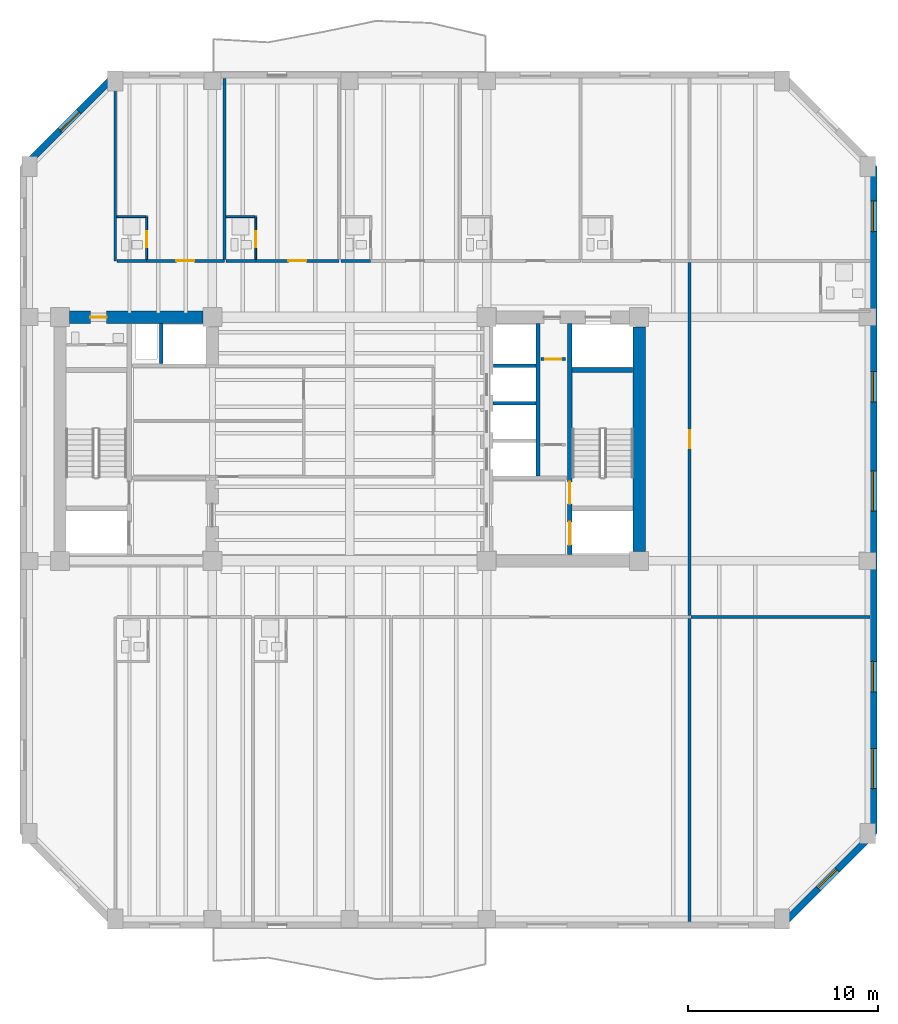
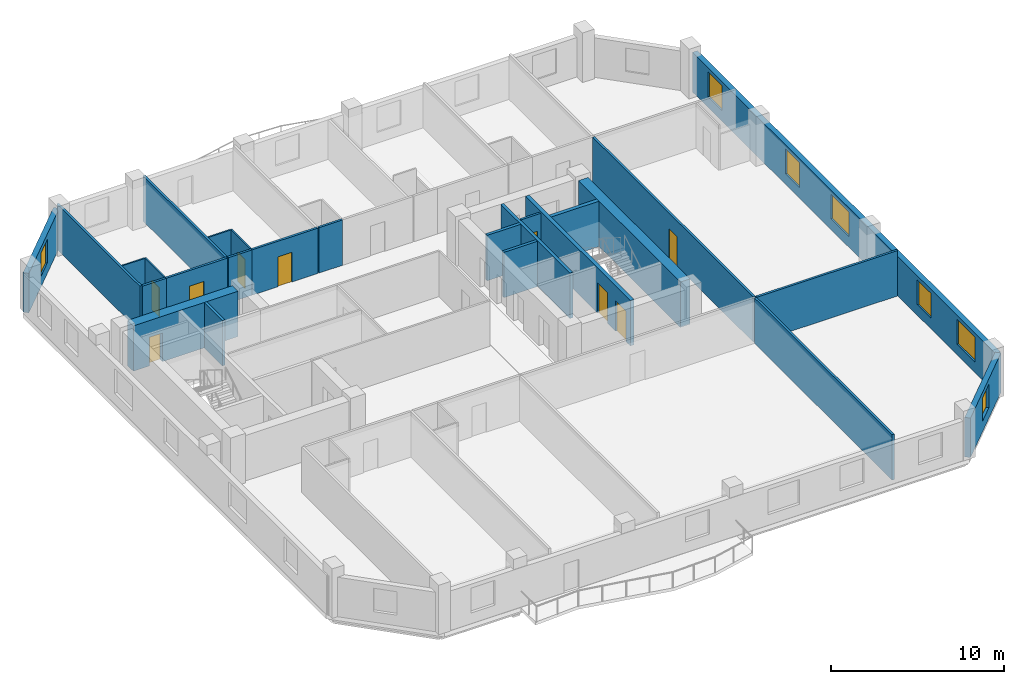
# One storey, part 4 of 10: 26 walls, 9 doors, 7 windows, 16 openings.
"""IFC4 building model written with IfcOpenShell, lengths in metres."""

import ifcopenshell
import ifcopenshell.guid

model = None  # the IFC model being written
_history = None  # IfcOwnerHistory: only IFC2X3 demands one
_inside = {}  # id of a spatial element -> (the spatial element, [elements in it])
_under = {}  # id of a project, library or spatial element -> (it, [spatial elements below it])
_declared = {}  # id of a project -> (the project, [libraries it declares])
_typed = {}  # id of a type object -> (the type object, [elements of that type])
_made_of = {}  # id of a material, layer set ... -> (it, [elements and type objects made of it])


def new_model(schema):
    """Start an empty IFC model of exactly this schema.

    Asked for "IFC4X3", IfcOpenShell would pick the latest addendum, in which some entities
    have other attributes; the version numbers below select the first issue.
    IFC2X3 requires an IfcOwnerHistory on every rooted entity: one is made here for all.
    """
    global model, _history
    if schema == "IFC4X3":
        model = ifcopenshell.file(schema_version=(4, 3, 0, 0))
    else:
        model = ifcopenshell.file(schema=schema)
    _inside.clear()
    _under.clear()
    _declared.clear()
    _typed.clear()
    _made_of.clear()
    _history = None
    if model.schema == "IFC2X3":
        org = make("IfcOrganization", Name="unknown")
        user = make(
            "IfcPersonAndOrganization",
            ThePerson=make("IfcPerson", FamilyName="unknown"),
            TheOrganization=org,
        )
        app = make(
            "IfcApplication",
            ApplicationDeveloper=org,
            Version="unknown",
            ApplicationFullName="unknown",
            ApplicationIdentifier="unknown",
        )
        _history = make(
            "IfcOwnerHistory",
            OwningUser=user,
            OwningApplication=app,
            ChangeAction="ADDED",
            CreationDate=0,
        )
    return model


def make(cls, **values):
    """One entity of the class cls with the attributes given. An attribute that is None is left unset."""
    return model.create_entity(
        cls, **{name: value for name, value in values.items() if value is not None}
    )


def rooted(cls, **values):
    """An entity with a GlobalId (a new one), such as an element, a storey or a relation."""
    return make(cls, GlobalId=ifcopenshell.guid.new(), OwnerHistory=_history, **values)


def si_unit(unit_type, name, prefix=None):
    """IfcSIUnit, for example si_unit("LENGTHUNIT", "METRE", prefix="MILLI")."""
    return make("IfcSIUnit", UnitType=unit_type, Prefix=prefix, Name=name)


def assignment(units):
    """IfcUnitAssignment: the units of a project."""
    return None if units is None else make("IfcUnitAssignment", Units=units)


def point(xyz):
    """IfcCartesianPoint."""
    return None if xyz is None else make("IfcCartesianPoint", Coordinates=xyz)


def direction(xyz):
    """IfcDirection."""
    return None if xyz is None else make("IfcDirection", DirectionRatios=xyz)


def frame(location, z_axis=None, x_axis=None):
    """IfcAxis2Placement3D, a coordinate frame: its origin and axes. An axis left out is left unset."""
    return make(
        "IfcAxis2Placement3D",
        Location=point(location),
        Axis=direction(z_axis),
        RefDirection=direction(x_axis),
    )


def frame_2d(location, x_axis=None):
    """IfcAxis2Placement2D, a coordinate frame in the plane: its origin and x axis."""
    return make(
        "IfcAxis2Placement2D", Location=point(location), RefDirection=direction(x_axis)
    )


def origin():
    """The frame at (0, 0, 0) with its axes left unset."""
    return frame((0.0, 0.0, 0.0))


def place(relative_to, where):
    """IfcLocalPlacement: puts the frame where relative to a parent placement (None: the world)."""
    return make(
        "IfcLocalPlacement", PlacementRelTo=relative_to, RelativePlacement=where
    )


def context(
    kind, dimensions, precision=None, world=None, true_north=None, identifier=None
):
    """IfcGeometricRepresentationContext, for example the 3D "Model" context."""
    return make(
        "IfcGeometricRepresentationContext",
        ContextIdentifier=identifier,
        ContextType=kind,
        CoordinateSpaceDimension=dimensions,
        Precision=precision,
        WorldCoordinateSystem=world,
        TrueNorth=true_north,
    )


def subcontext(parent, identifier, kind, view, scale=None):
    """IfcGeometricRepresentationSubContext, for example "Body" below "Model"."""
    return make(
        "IfcGeometricRepresentationSubContext",
        ContextIdentifier=identifier,
        ContextType=kind,
        ParentContext=parent,
        TargetScale=scale,
        TargetView=view,
    )


def project(units=None, contexts=None):
    """IfcProject with its units and contexts."""
    return rooted(
        "IfcProject",
        Name="project",
        RepresentationContexts=contexts,
        UnitsInContext=assignment(units),
    )


def spatial(cls, under=None, at=None, **own):
    """A site, building, storey or space (cls), placed at a placement, below another one or the project."""
    s = rooted(cls, ObjectPlacement=at, **own)
    if under is not None:
        _under.setdefault(under.id(), (under, []))[1].append(s)
    return s


def profile(cls, at=None, kind="AREA", **sizes):
    """A parametric profile (cls). Its sizes go by their IFC names, for example OverallWidth=200.0."""
    return make(cls, ProfileType=kind, Position=at, **sizes)


def rectangle(**sizes):
    """IfcRectangleProfileDef."""
    return profile("IfcRectangleProfileDef", **sizes)


def extrude(swept, where, along, depth):
    """IfcExtrudedAreaSolid: the profile swept, set in the frame where, extruded along a direction by depth."""
    return make(
        "IfcExtrudedAreaSolid",
        SweptArea=swept,
        Position=where,
        ExtrudedDirection=direction(along),
        Depth=depth,
    )


def shape(context_of_items, identifier, shape_type, items):
    """IfcShapeRepresentation: the items that make up one representation, for example the "Body"."""
    return make(
        "IfcShapeRepresentation",
        ContextOfItems=context_of_items,
        RepresentationIdentifier=identifier,
        RepresentationType=shape_type,
        Items=items,
    )


def material(Name=None, Category=None):
    """IfcMaterial."""
    return make("IfcMaterial", Name=Name, Category=Category)


def layer(
    of_material, thickness, ventilated=None, Name=None, Category=None, Priority=None
):
    """IfcMaterialLayer: one layer of a wall or slab, of a material (None: an air gap)."""
    return make(
        "IfcMaterialLayer",
        Material=of_material,
        LayerThickness=thickness,
        IsVentilated=ventilated,
        Name=Name,
        Category=Category,
        Priority=Priority,
    )


def layer_set(layers, Name=None):
    """IfcMaterialLayerSet."""
    return make("IfcMaterialLayerSet", MaterialLayers=layers, LayerSetName=Name)


def made_of(thing, what):
    """Note that an element or type object is made of a material, layer set ...; save() writes the relation."""
    if what is not None:
        _made_of.setdefault(what.id(), (what, []))[1].append(thing)
    return thing


def type_object(cls, material=None, **own):
    """A type object (cls), such as IfcWallType, which elements share."""
    return made_of(rooted(cls, **own), material)


def element(
    cls,
    number,
    at=None,
    inside=None,
    cuts=None,
    type_object=None,
    material=None,
    context=None,
    identifier="Body",
    shape_type=None,
    held_by="IfcProductDefinitionShape",
    body=None,
    shapes=None,
    **own,
):
    """One element of the class cls, such as IfcWall. Its Tag is "e" and its number.

    at: its placement. inside: the storey or other place that contains it. cuts: it is an
    opening in that element (IfcRelVoidsElement). A single representation is given by context,
    identifier, shape_type and body (its items); several are given by shapes. held_by: the class
    of the entity that holds the representations. save() writes the other relations.
    """
    e = rooted(cls, Tag="e%d" % number, ObjectPlacement=at, **own)
    if body is not None:
        shapes = [shape(context, identifier, shape_type, body)]
    if shapes is not None:
        e.Representation = make(held_by, Representations=shapes)
    if inside is not None:
        _inside.setdefault(inside.id(), (inside, []))[1].append(e)
    if cuts is not None:
        rooted(
            "IfcRelVoidsElement", RelatingBuildingElement=cuts, RelatedOpeningElement=e
        )
    if type_object is not None:
        _typed.setdefault(type_object.id(), (type_object, []))[1].append(e)
    return made_of(e, material)


def fill(opening, filler):
    """IfcRelFillsElement: the door or window that sits in an opening."""
    return rooted(
        "IfcRelFillsElement",
        RelatingOpeningElement=opening,
        RelatedBuildingElement=filler,
    )


def aggregate(whole, parts):
    """IfcRelAggregates: a whole, such as a stair, and the parts it consists of."""
    return rooted("IfcRelAggregates", RelatingObject=whole, RelatedObjects=parts)


def save(model, path):
    """Write the relations noted so far, then the file.

    IfcRelAggregates (storeys below a building ...), IfcRelContainedInSpatialStructure (elements
    in a storey), IfcRelDefinesByType, IfcRelAssociatesMaterial and IfcRelDeclares: one each for
    every whole, place, type object, material and project.
    """
    for whole, parts in _under.values():
        aggregate(whole, parts)
    for where, things in _inside.values():
        rooted(
            "IfcRelContainedInSpatialStructure",
            RelatedElements=things,
            RelatingStructure=where,
        )
    for kind, things in _typed.values():
        rooted("IfcRelDefinesByType", RelatedObjects=things, RelatingType=kind)
    for what, things in _made_of.values():
        rooted("IfcRelAssociatesMaterial", RelatedObjects=things, RelatingMaterial=what)
    for by, libraries in _declared.values():
        rooted("IfcRelDeclares", RelatingContext=by, RelatedDefinitions=libraries)
    model.write(path)


model = new_model("IFC4")

# Units and contexts
model_context = context("Model", 3, precision=1e-05, world=origin(), true_north=direction((0.0, 1.0)))
body_context = subcontext(model_context, "Body", "Model", "MODEL_VIEW")
ifc_project = project(units=[si_unit("LENGTHUNIT", "METRE"), si_unit("AREAUNIT", "SQUARE_METRE"), si_unit("VOLUMEUNIT", "CUBIC_METRE"), si_unit("PLANEANGLEUNIT", "RADIAN"), si_unit("MASSUNIT", "GRAM", prefix="KILO")], contexts=[model_context])

# Site, building, storey
site_placement = place(None, origin())
site = spatial("IfcSite", under=ifc_project, at=site_placement, CompositionType="ELEMENT")
building_placement = place(site_placement, origin())
building = spatial("IfcBuilding", under=site, at=building_placement, Name="Kranthara Brick Stack", CompositionType="ELEMENT")
storey_placement = place(building_placement, frame((0.0, 0.0, 144.800048828125)))
storey = spatial("IfcBuildingStorey", under=building, at=storey_placement, Name="L36", CompositionType="ELEMENT", Elevation=144.800048828125)

# Wall, opening, window
ifc_material_1 = material(Name="Kiln-fired clay brick masonry M15", Category="masonry")
ifc_layer_1 = layer(ifc_material_1, 0.35009765625)
ifc_layer_set_1 = layer_set([ifc_layer_1], Name="Kiln-fired clay brick masonry M15")
wall_type_1 = type_object("IfcWallType", Name="WL-BRK-SPND-350", PredefinedType="STANDARD", material=ifc_layer_set_1)
wall_1_placement = place(storey_placement, frame((10.89501953125, 41.5, 0.0), z_axis=(0.0, 0.0, 1.0), x_axis=(0.707106781187, 0.707106781187, 0.0)))
wall_1 = element("IfcWall", 1, at=wall_1_placement, inside=storey, type_object=wall_type_1, Name="L36 Exterior Brick Facade Wall NW 1", PredefinedType="STANDARD", context=body_context, shape_type="SweptSolid", body=[
    extrude(rectangle(XDim=6.795166015625, YDim=0.35009765625, at=frame_2d((3.3974609375, 0.0))), origin(), (0.0, 0.0, 1.0), 2.784912109375),
])
opening_1_placement = place(wall_1_placement, frame((2.697998046875, 0.0, 0.75)))
opening_1 = element("IfcOpeningElement", 2, at=opening_1_placement, cuts=wall_1, Name="Opening WN10", PredefinedType="OPENING", context=body_context, shape_type="SweptSolid", body=[
    extrude(rectangle(XDim=1.39990234375, YDim=1.64990234375, at=frame_2d((0.699951171875, 0.824951171875))), frame((0.0, 0.18505859375, 0.0), z_axis=(0.0, -1.0, 0.0), x_axis=(1.0, 0.0, 0.0)), (0.0, 0.0, 1.0), 0.3701171875),
])
ifc_material_2 = material(Name="Double-glazed low-E solar control glass", Category="glass")
window_type_1 = type_object("IfcWindowType", Name="WN-CHM-1400x1750", PartitioningType="SINGLE_PANEL", PredefinedType="WINDOW", material=ifc_material_2)
window_1_placement = place(opening_1_placement, origin())
window_1 = element("IfcWindow", 3, at=window_1_placement, inside=storey, type_object=window_type_1, Name="L36 NW Chamfer Corner Window", OverallHeight=1.64990234375, OverallWidth=1.39990234375, PartitioningType="SINGLE_PANEL", PredefinedType="WINDOW", context=body_context, shape_type="SweptSolid", body=[
    extrude(rectangle(XDim=1.39990234375, YDim=1.64990234375, at=frame_2d((0.699951171875, 0.824951171875))), frame((0.0, -0.010009765625, 0.0), z_axis=(0.0, -1.0, 0.0), x_axis=(1.0, 0.0, 0.0)), (0.0, 0.0, 1.0), 0.06005859375),
])
fill(opening_1, window_1)

# Wall, openings, windows
wall_2_placement = place(storey_placement, frame((55.5048828125, 41.5, 0.0), z_axis=(0.0, 0.0, 1.0), x_axis=(0.0, -1.0, 0.0)))
wall_2 = element("IfcWall", 4, at=wall_2_placement, inside=storey, type_object=wall_type_1, Name="L36 Exterior Brick Facade Wall EAST 1", PredefinedType="STANDARD", context=body_context, shape_type="SweptSolid", body=[
    extrude(rectangle(XDim=35.0, YDim=0.35009765625, at=frame_2d((17.5, 0.0))), origin(), (0.0, 0.0, 1.0), 2.784912109375),
])
opening_2_placement = place(wall_2_placement, frame((1.81298828125, 0.0, 0.75)))
opening_2 = element("IfcOpeningElement", 5, at=opening_2_placement, cuts=wall_2, Name="Opening WN04", PredefinedType="OPENING", context=body_context, shape_type="SweptSolid", body=[
    extrude(rectangle(XDim=1.60009765625, YDim=1.75, at=frame_2d((0.800048828125, 0.875))), frame((0.0, 0.18505859375, 0.0), z_axis=(0.0, -1.0, 0.0), x_axis=(1.0, 0.0, 0.0)), (0.0, 0.0, 1.0), 0.3701171875),
])
opening_3_placement = place(wall_2_placement, frame((10.763916015625, 0.0, 0.75)))
opening_3 = element("IfcOpeningElement", 6, at=opening_3_placement, cuts=wall_2, Name="Opening WN04", PredefinedType="OPENING", context=body_context, shape_type="SweptSolid", body=[
    extrude(rectangle(XDim=1.60009765625, YDim=1.75, at=frame_2d((0.800048828125, 0.875))), frame((0.0, 0.18505859375, 0.0), z_axis=(0.0, -1.0, 0.0), x_axis=(1.0, 0.0, 0.0)), (0.0, 0.0, 1.0), 0.3701171875),
])
opening_4_placement = place(wall_2_placement, frame((15.986083984375, 0.0, 0.75)))
opening_4 = element("IfcOpeningElement", 7, at=opening_4_placement, cuts=wall_2, Name="Opening WN05", PredefinedType="OPENING", context=body_context, shape_type="SweptSolid", body=[
    extrude(rectangle(XDim=2.10009765625, YDim=1.75, at=frame_2d((1.050048828125, 0.875))), frame((0.0, 0.18505859375, 0.0), z_axis=(0.0, -1.0, 0.0), x_axis=(1.0, 0.0, 0.0)), (0.0, 0.0, 1.0), 0.3701171875),
])
opening_5_placement = place(wall_2_placement, frame((25.969970703125, 0.0, 0.75)))
opening_5 = element("IfcOpeningElement", 8, at=opening_5_placement, cuts=wall_2, Name="Opening WN04", PredefinedType="OPENING", context=body_context, shape_type="SweptSolid", body=[
    extrude(rectangle(XDim=1.60009765625, YDim=1.75, at=frame_2d((0.800048828125, 0.875))), frame((0.0, 0.18505859375, 0.0), z_axis=(0.0, -1.0, 0.0), x_axis=(1.0, 0.0, 0.0)), (0.0, 0.0, 1.0), 0.3701171875),
])
opening_6_placement = place(wall_2_placement, frame((30.554931640625, 0.0, 0.75)))
opening_6 = element("IfcOpeningElement", 9, at=opening_6_placement, cuts=wall_2, Name="Opening WN05", PredefinedType="OPENING", context=body_context, shape_type="SweptSolid", body=[
    extrude(rectangle(XDim=2.10009765625, YDim=1.75, at=frame_2d((1.050048828125, 0.875))), frame((0.0, 0.18505859375, 0.0), z_axis=(0.0, -1.0, 0.0), x_axis=(1.0, 0.0, 0.0)), (0.0, 0.0, 1.0), 0.3701171875),
])
ifc_material_3 = material(Name="Double-glazed low-E solar control glass", Category="glass")
window_type_2 = type_object("IfcWindowType", Name="WN-HTL-1600x1850", PartitioningType="DOUBLE_PANEL_VERTICAL", PredefinedType="WINDOW", material=ifc_material_3)
window_2_placement = place(opening_2_placement, origin())
window_2 = element("IfcWindow", 10, at=window_2_placement, inside=storey, type_object=window_type_2, Name="L36 East Deep-Set Brick Window 01", OverallHeight=1.75, OverallWidth=1.60009765625, PartitioningType="SINGLE_PANEL", PredefinedType="WINDOW", context=body_context, shape_type="SweptSolid", body=[
    extrude(rectangle(XDim=1.60009765625, YDim=1.75, at=frame_2d((0.800048828125, 0.875))), frame((0.0, -0.010009765625, 0.0), z_axis=(0.0, -1.0, 0.0), x_axis=(1.0, 0.0, 0.0)), (0.0, 0.0, 1.0), 0.06005859375),
])
fill(opening_2, window_2)
window_3_placement = place(opening_3_placement, origin())
window_3 = element("IfcWindow", 11, at=window_3_placement, inside=storey, type_object=window_type_2, Name="L36 East Deep-Set Brick Window 02", OverallHeight=1.75, OverallWidth=1.60009765625, PartitioningType="SINGLE_PANEL", PredefinedType="WINDOW", context=body_context, shape_type="SweptSolid", body=[
    extrude(rectangle(XDim=1.60009765625, YDim=1.75, at=frame_2d((0.800048828125, 0.875))), frame((0.0, -0.010009765625, 0.0), z_axis=(0.0, -1.0, 0.0), x_axis=(1.0, 0.0, 0.0)), (0.0, 0.0, 1.0), 0.06005859375),
])
fill(opening_3, window_3)
window_4_placement = place(opening_5_placement, origin())
window_4 = element("IfcWindow", 12, at=window_4_placement, inside=storey, type_object=window_type_2, Name="L36 East Deep-Set Brick Window 04", OverallHeight=1.75, OverallWidth=1.60009765625, PartitioningType="SINGLE_PANEL", PredefinedType="WINDOW", context=body_context, shape_type="SweptSolid", body=[
    extrude(rectangle(XDim=1.60009765625, YDim=1.75, at=frame_2d((0.800048828125, 0.875))), frame((0.0, -0.010009765625, 0.0), z_axis=(0.0, -1.0, 0.0), x_axis=(1.0, 0.0, 0.0)), (0.0, 0.0, 1.0), 0.06005859375),
])
fill(opening_5, window_4)
ifc_material_4 = material(Name="Double-glazed low-E solar control glass", Category="glass")
window_type_3 = type_object("IfcWindowType", Name="WN-HTL-2100x1850", PartitioningType="DOUBLE_PANEL_VERTICAL", PredefinedType="WINDOW", material=ifc_material_4)
window_5_placement = place(opening_4_placement, origin())
window_5 = element("IfcWindow", 13, at=window_5_placement, inside=storey, type_object=window_type_3, Name="L36 East Deep-Set Brick Window 03", OverallHeight=1.75, OverallWidth=2.10009765625, PartitioningType="SINGLE_PANEL", PredefinedType="WINDOW", context=body_context, shape_type="SweptSolid", body=[
    extrude(rectangle(XDim=2.10009765625, YDim=1.75, at=frame_2d((1.050048828125, 0.875))), frame((0.0, -0.010009765625, 0.0), z_axis=(0.0, -1.0, 0.0), x_axis=(1.0, 0.0, 0.0)), (0.0, 0.0, 1.0), 0.06005859375),
])
fill(opening_4, window_5)
window_6_placement = place(opening_6_placement, origin())
window_6 = element("IfcWindow", 14, at=window_6_placement, inside=storey, type_object=window_type_3, Name="L36 East Deep-Set Brick Window 05", OverallHeight=1.75, OverallWidth=2.10009765625, PartitioningType="SINGLE_PANEL", PredefinedType="WINDOW", context=body_context, shape_type="SweptSolid", body=[
    extrude(rectangle(XDim=2.10009765625, YDim=1.75, at=frame_2d((1.050048828125, 0.875))), frame((0.0, -0.010009765625, 0.0), z_axis=(0.0, -1.0, 0.0), x_axis=(1.0, 0.0, 0.0)), (0.0, 0.0, 1.0), 0.06005859375),
])
fill(opening_6, window_6)

# Wall, opening, window
wall_3_placement = place(storey_placement, frame((55.5048828125, 6.5, 0.0), z_axis=(0.0, 0.0, 1.0), x_axis=(-0.707106781187, -0.707106781187, 0.0)))
wall_3 = element("IfcWall", 15, at=wall_3_placement, inside=storey, type_object=wall_type_1, Name="L36 Exterior Brick Facade Wall SE 1", PredefinedType="STANDARD", context=body_context, shape_type="SweptSolid", body=[
    extrude(rectangle(XDim=6.795166015625, YDim=0.35009765625, at=frame_2d((3.3974609375, 0.0))), origin(), (0.0, 0.0, 1.0), 2.784912109375),
])
opening_7_placement = place(wall_3_placement, frame((2.697998046875, 0.0, 0.75)))
opening_7 = element("IfcOpeningElement", 16, at=opening_7_placement, cuts=wall_3, Name="Opening WN10", PredefinedType="OPENING", context=body_context, shape_type="SweptSolid", body=[
    extrude(rectangle(XDim=1.39990234375, YDim=1.64990234375, at=frame_2d((0.699951171875, 0.824951171875))), frame((0.0, 0.18505859375, 0.0), z_axis=(0.0, -1.0, 0.0), x_axis=(1.0, 0.0, 0.0)), (0.0, 0.0, 1.0), 0.3701171875),
])
window_7_placement = place(opening_7_placement, origin())
window_7 = element("IfcWindow", 17, at=window_7_placement, inside=storey, type_object=window_type_1, Name="L36 SE Chamfer Corner Window", OverallHeight=1.64990234375, OverallWidth=1.39990234375, PartitioningType="SINGLE_PANEL", PredefinedType="WINDOW", context=body_context, shape_type="SweptSolid", body=[
    extrude(rectangle(XDim=1.39990234375, YDim=1.64990234375, at=frame_2d((0.699951171875, 0.824951171875))), frame((0.0, -0.010009765625, 0.0), z_axis=(0.0, -1.0, 0.0), x_axis=(1.0, 0.0, 0.0)), (0.0, 0.0, 1.0), 0.06005859375),
])
fill(opening_7, window_7)

# Wall, openings, doors
ifc_material_5 = material(Name="Concrete C50/60", Category="concrete")
ifc_layer_2 = layer(ifc_material_5, 0.25)
ifc_layer_set_2 = layer_set([ifc_layer_2], Name="Concrete C50/60")
wall_type_2 = type_object("IfcWallType", Name="WL-CORE-250", PredefinedType="SHEAR", material=ifc_layer_set_2)
wall_4_placement = place(storey_placement, frame((39.56494140625, 21.135009765625, 0.0), z_axis=(0.0, 0.0, 1.0), x_axis=(0.0, 1.0, 0.0)))
wall_4 = element("IfcWall", 18, at=wall_4_placement, inside=storey, type_object=wall_type_2, Name="L36 East Core Stair Bearing Spine Wall", PredefinedType="SHEAR", context=body_context, shape_type="SweptSolid", body=[
    extrude(rectangle(XDim=12.1298828125, YDim=0.25, at=frame_2d((6.06494140625, 0.0))), origin(), (0.0, 0.0, 1.0), 3.199951171875),
])
opening_8_placement = place(wall_4_placement, frame((0.514892578125, 0.0, 0.0)))
opening_8 = element("IfcOpeningElement", 19, at=opening_8_placement, cuts=wall_4, Name="Opening LD01", PredefinedType="OPENING", context=body_context, shape_type="SweptSolid", body=[
    extrude(rectangle(XDim=1.199951171875, YDim=2.14990234375, at=frame_2d((0.60009765625, 1.074951171875))), frame((0.0, 0.135009765625, 0.0), z_axis=(0.0, -1.0, 0.0), x_axis=(1.0, 0.0, 0.0)), (0.0, 0.0, 1.0), 0.27001953125),
])
opening_9_placement = place(wall_4_placement, frame((2.6650390625, 0.0, 0.0)))
opening_9 = element("IfcOpeningElement", 20, at=opening_9_placement, cuts=wall_4, Name="Opening D05", PredefinedType="OPENING", context=body_context, shape_type="SweptSolid", body=[
    extrude(rectangle(XDim=1.14990234375, YDim=2.14990234375, at=frame_2d((0.574951171875, 1.074951171875))), frame((0.0, 0.135009765625, 0.0), z_axis=(0.0, -1.0, 0.0), x_axis=(1.0, 0.0, 0.0)), (0.0, 0.0, 1.0), 0.27001953125),
])
ifc_material_6 = material(Name="Stainless steel sliding landing door", Category="steel")
door_type_1 = type_object("IfcDoorType", Name="DR-LD-FF1200", OperationType="DOUBLE_DOOR_SLIDING", PredefinedType="DOOR", material=ifc_material_6)
door_1_placement = place(opening_8_placement, origin())
door_1 = element("IfcDoor", 21, at=door_1_placement, inside=storey, type_object=door_type_1, Name="L36 Firefighting Lift FF-02 Landing Door", OperationType="DOUBLE_DOOR_SLIDING", OverallHeight=2.14990234375, OverallWidth=1.199951171875, PredefinedType="DOOR", context=body_context, shape_type="SweptSolid", body=[
    extrude(rectangle(XDim=1.199951171875, YDim=2.14990234375, at=frame_2d((0.60009765625, 1.074951171875))), frame((0.0, 0.02490234375, 0.0), z_axis=(0.0, -1.0, 0.0), x_axis=(1.0, 0.0, 0.0)), (0.0, 0.0, 1.0), 0.050048828125),
])
fill(opening_8, door_1)
ifc_material_7 = material(Name="Solid-core hardwood timber leaf in steel frame", Category="steel")
door_type_2 = type_object("IfcDoorType", Name="DR-ST-1150", OperationType="NOTDEFINED", PredefinedType="DOOR", material=ifc_material_7)
door_2_placement = place(opening_9_placement, origin())
door_2 = element("IfcDoor", 22, at=door_2_placement, inside=storey, type_object=door_type_2, Name="L36 Exit Stair ST02 Door", OperationType="SINGLE_SWING_LEFT", OverallHeight=2.14990234375, OverallWidth=1.14990234375, PredefinedType="DOOR", context=body_context, shape_type="SweptSolid", body=[
    extrude(rectangle(XDim=1.14990234375, YDim=2.14990234375, at=frame_2d((0.574951171875, 1.074951171875))), frame((0.0, 0.02490234375, 0.0), z_axis=(0.0, -1.0, 0.0), x_axis=(1.0, 0.0, 0.0)), (0.0, 0.0, 1.0), 0.050048828125),
])
fill(opening_9, door_2)

# Wall
wall_5_placement = place(storey_placement, frame((39.68994140625, 30.830078125, 0.0), z_axis=(0.0, 0.0, 1.0), x_axis=(1.0, 0.0, 0.0)))
element("IfcWall", 23, at=wall_5_placement, inside=storey, type_object=wall_type_2, Name="L36 East Stairwell Bearing Wall EST", PredefinedType="SHEAR", context=body_context, shape_type="SweptSolid", body=[
    extrude(rectangle(XDim=3.175048828125, YDim=0.25, at=frame_2d((1.58740234375, 0.0))), origin(), (0.0, 0.0, 1.0), 3.199951171875),
])

# Wall, opening, door
ifc_material_8 = material(Name="Concrete C60/75", Category="concrete")
ifc_layer_3 = layer(ifc_material_8, 0.64990234375)
ifc_layer_set_3 = layer_set([ifc_layer_3], Name="Concrete C60/75")
wall_type_3 = type_object("IfcWallType", Name="WL-CORE-650", PredefinedType="SHEAR", material=ifc_layer_set_3)
wall_6_placement = place(storey_placement, frame((13.304931640625, 33.60009765625, 0.0), z_axis=(0.0, 0.0, 1.0), x_axis=(1.0, 0.0, 0.0)))
wall_6 = element("IfcWall", 24, at=wall_6_placement, inside=storey, type_object=wall_type_3, Name="L36 West Core Shear Wall North", PredefinedType="SHEAR", context=body_context, shape_type="SweptSolid", body=[
    extrude(rectangle(XDim=6.989990234375, YDim=0.64990234375, at=frame_2d((3.4951171875, 0.0))), origin(), (0.0, 0.0, 1.0), 3.199951171875),
])
opening_10_placement = place(wall_6_placement, frame((1.094970703125, 0.0, 0.0)))
opening_10 = element("IfcOpeningElement", 25, at=opening_10_placement, cuts=wall_6, Name="Opening D10", PredefinedType="OPENING", context=body_context, shape_type="SweptSolid", body=[
    extrude(rectangle(XDim=0.85009765625, YDim=2.02001953125, at=frame_2d((0.425048828125, 1.010009765625))), frame((0.0, 0.3349609375, 0.0), z_axis=(0.0, -1.0, 0.0), x_axis=(1.0, 0.0, 0.0)), (0.0, 0.0, 1.0), 0.669921875),
])
ifc_material_9 = material(Name="Solid-core hardwood timber leaf in steel frame", Category="steel")
door_type_3 = type_object("IfcDoorType", Name="DR-RSR-850", OperationType="NOTDEFINED", PredefinedType="DOOR", material=ifc_material_9)
door_3_placement = place(opening_10_placement, origin())
door_3 = element("IfcDoor", 26, at=door_3_placement, inside=storey, type_object=door_type_3, Name="L36 West Core Service Door 1", OperationType="SINGLE_SWING_LEFT", OverallHeight=2.02001953125, OverallWidth=0.85009765625, PredefinedType="DOOR", context=body_context, shape_type="SweptSolid", body=[
    extrude(rectangle(XDim=0.85009765625, YDim=2.02001953125, at=frame_2d((0.425048828125, 1.010009765625))), frame((0.0, 0.02490234375, 0.0), z_axis=(0.0, -1.0, 0.0), x_axis=(1.0, 0.0, 0.0)), (0.0, 0.0, 1.0), 0.050048828125),
])
fill(opening_10, door_3)

# Wall
wall_7_placement = place(storey_placement, frame((43.199951171875, 21.304931640625, 0.0), z_axis=(0.0, 0.0, 1.0), x_axis=(0.0, 1.0, 0.0)))
element("IfcWall", 27, at=wall_7_placement, inside=storey, type_object=wall_type_3, Name="L36 East Core Shear Wall East", PredefinedType="SHEAR", context=body_context, shape_type="SweptSolid", body=[
    extrude(rectangle(XDim=11.7900390625, YDim=0.64990234375, at=frame_2d((5.89501953125, 0.0))), origin(), (0.0, 0.0, 1.0), 3.199951171875),
])

# Wall, opening, door
ifc_material_10 = material(Name="Moisture-resistant wet-room partition", Category="other")
ifc_layer_4 = layer(ifc_material_10, 0.10009765625)
ifc_layer_set_4 = layer_set([ifc_layer_4], Name="Moisture-resistant wet-room partition")
wall_type_4 = type_object("IfcWallType", Name="WL-PART-100", PredefinedType="PARTITIONING", material=ifc_layer_set_4)
wall_8_placement = place(storey_placement, frame((17.35009765625, 36.6298828125, 0.0), z_axis=(0.0, 0.0, 1.0), x_axis=(0.0, 1.0, 0.0)))
wall_8 = element("IfcWall", 28, at=wall_8_placement, inside=storey, type_object=wall_type_4, Name="L36 Interior Partition 025", PredefinedType="PARTITIONING", context=body_context, shape_type="SweptSolid", body=[
    extrude(rectangle(XDim=2.25, YDim=0.10009765625, at=frame_2d((1.125, 0.0))), origin(), (0.0, 0.0, 1.0), 3.199951171875),
])
opening_11_placement = place(wall_8_placement, frame((0.639892578125, 0.0, 0.0)))
opening_11 = element("IfcOpeningElement", 29, at=opening_11_placement, cuts=wall_8, Name="Opening D17", PredefinedType="OPENING", context=body_context, shape_type="SweptSolid", body=[
    extrude(rectangle(XDim=0.85009765625, YDim=2.050048828125, at=frame_2d((0.425048828125, 1.02490234375))), frame((0.0, 0.06005859375, 0.0), z_axis=(0.0, -1.0, 0.0), x_axis=(1.0, 0.0, 0.0)), (0.0, 0.0, 1.0), 0.1201171875),
])
ifc_material_11 = material(Name="Solid-core hardwood timber leaf in steel frame", Category="steel")
door_type_4 = type_object("IfcDoorType", Name="DR-WET-850", OperationType="NOTDEFINED", PredefinedType="DOOR", material=ifc_material_11)
door_4_placement = place(opening_11_placement, origin())
door_4 = element("IfcDoor", 30, at=door_4_placement, inside=storey, type_object=door_type_4, Name="L36 Key 04 En-Suite Door 12", OperationType="SINGLE_SWING_RIGHT", OverallHeight=2.050048828125, OverallWidth=0.85009765625, PredefinedType="DOOR", context=body_context, shape_type="SweptSolid", body=[
    extrude(rectangle(XDim=0.85009765625, YDim=2.050048828125, at=frame_2d((0.425048828125, 1.02490234375))), frame((0.0, 0.02490234375, 0.0), z_axis=(0.0, -1.0, 0.0), x_axis=(1.0, 0.0, 0.0)), (0.0, 0.0, 1.0), 0.050048828125),
])
fill(opening_11, door_4)

# Wall
wall_9_placement = place(storey_placement, frame((15.780029296875, 38.8798828125, 0.0), z_axis=(0.0, 0.0, 1.0), x_axis=(1.0, 0.0, 0.0)))
element("IfcWall", 31, at=wall_9_placement, inside=storey, type_object=wall_type_4, Name="L36 Interior Partition 026", PredefinedType="PARTITIONING", context=body_context, shape_type="SweptSolid", body=[
    extrude(rectangle(XDim=1.514892578125, YDim=0.10009765625, at=frame_2d((0.75732421875, 0.0))), origin(), (0.0, 0.0, 1.0), 3.199951171875),
])

# Wall, opening, door
wall_10_placement = place(storey_placement, frame((23.077880859375, 36.6298828125, 0.0), z_axis=(0.0, 0.0, 1.0), x_axis=(0.0, 1.0, 0.0)))
wall_10 = element("IfcWall", 32, at=wall_10_placement, inside=storey, type_object=wall_type_4, Name="L36 Interior Partition 030", PredefinedType="PARTITIONING", context=body_context, shape_type="SweptSolid", body=[
    extrude(rectangle(XDim=2.25, YDim=0.10009765625, at=frame_2d((1.125, 0.0))), origin(), (0.0, 0.0, 1.0), 3.199951171875),
])
opening_12_placement = place(wall_10_placement, frame((0.639892578125, 0.0, 0.0)))
opening_12 = element("IfcOpeningElement", 33, at=opening_12_placement, cuts=wall_10, Name="Opening D17", PredefinedType="OPENING", context=body_context, shape_type="SweptSolid", body=[
    extrude(rectangle(XDim=0.85009765625, YDim=2.050048828125, at=frame_2d((0.425048828125, 1.02490234375))), frame((0.0, 0.06005859375, 0.0), z_axis=(0.0, -1.0, 0.0), x_axis=(1.0, 0.0, 0.0)), (0.0, 0.0, 1.0), 0.1201171875),
])
door_5_placement = place(opening_12_placement, origin())
door_5 = element("IfcDoor", 34, at=door_5_placement, inside=storey, type_object=door_type_4, Name="L36 Key 05 En-Suite Door 14", OperationType="SINGLE_SWING_RIGHT", OverallHeight=2.050048828125, OverallWidth=0.85009765625, PredefinedType="DOOR", context=body_context, shape_type="SweptSolid", body=[
    extrude(rectangle(XDim=0.85009765625, YDim=2.050048828125, at=frame_2d((0.425048828125, 1.02490234375))), frame((0.0, 0.02490234375, 0.0), z_axis=(0.0, -1.0, 0.0), x_axis=(1.0, 0.0, 0.0)), (0.0, 0.0, 1.0), 0.050048828125),
])
fill(opening_12, door_5)

# Wall
wall_11_placement = place(storey_placement, frame((21.508056640625, 38.8798828125, 0.0), z_axis=(0.0, 0.0, 1.0), x_axis=(1.0, 0.0, 0.0)))
element("IfcWall", 35, at=wall_11_placement, inside=storey, type_object=wall_type_4, Name="L36 Interior Partition 031", PredefinedType="PARTITIONING", context=body_context, shape_type="SweptSolid", body=[
    extrude(rectangle(XDim=1.514892578125, YDim=0.10009765625, at=frame_2d((0.75732421875, 0.0))), origin(), (0.0, 0.0, 1.0), 3.199951171875),
])

# Wall, opening, door
ifc_material_12 = material(Name="Fire-rated gypsum board partition", Category="other")
ifc_layer_5 = layer(ifc_material_12, 0.14990234375)
ifc_layer_set_5 = layer_set([ifc_layer_5], Name="Fire-rated gypsum board partition")
wall_type_5 = type_object("IfcWallType", Name="WL-PART-150", PredefinedType="PARTITIONING", material=ifc_layer_set_5)
wall_12_placement = place(storey_placement, frame((38.050048828125, 31.39990234375, 0.0), z_axis=(0.0, 0.0, 1.0), x_axis=(1.0, 0.0, 0.0)))
wall_12 = element("IfcWall", 36, at=wall_12_placement, inside=storey, type_object=wall_type_5, Name="L36 Interior Partition 003", PredefinedType="PARTITIONING", context=body_context, shape_type="SweptSolid", body=[
    extrude(rectangle(XDim=1.300048828125, YDim=0.14990234375, at=frame_2d((0.64990234375, 0.0))), origin(), (0.0, 0.0, 1.0), 3.199951171875),
])
opening_13_placement = place(wall_12_placement, frame((0.219970703125, 0.0, 0.0)))
opening_13 = element("IfcOpeningElement", 37, at=opening_13_placement, cuts=wall_12, Name="Opening D10", PredefinedType="OPENING", context=body_context, shape_type="SweptSolid", body=[
    extrude(rectangle(XDim=0.85009765625, YDim=2.02001953125, at=frame_2d((0.425048828125, 1.010009765625))), frame((0.0, 0.0849609375, 0.0), z_axis=(0.0, -1.0, 0.0), x_axis=(1.0, 0.0, 0.0)), (0.0, 0.0, 1.0), 0.169921875),
])
door_6_placement = place(opening_13_placement, origin())
door_6 = element("IfcDoor", 38, at=door_6_placement, inside=storey, type_object=door_type_3, Name="L36 East Switch Door 03", OperationType="SINGLE_SWING_LEFT", OverallHeight=2.02001953125, OverallWidth=0.85009765625, PredefinedType="DOOR", context=body_context, shape_type="SweptSolid", body=[
    extrude(rectangle(XDim=0.85009765625, YDim=2.02001953125, at=frame_2d((0.425048828125, 1.010009765625))), frame((0.0, 0.02490234375, 0.0), z_axis=(0.0, -1.0, 0.0), x_axis=(1.0, 0.0, 0.0)), (0.0, 0.0, 1.0), 0.050048828125),
])
fill(opening_13, door_6)

# Walls
wall_13_placement = place(storey_placement, frame((45.85009765625, 1.875, 0.0), z_axis=(0.0, 0.0, 1.0), x_axis=(0.0, 1.0, 0.0)))
element("IfcWall", 39, at=wall_13_placement, inside=storey, type_object=wall_type_5, Name="L36 Interior Partition 021", PredefinedType="PARTITIONING", context=body_context, shape_type="SweptSolid", body=[
    extrude(rectangle(XDim=15.89501953125, YDim=0.14990234375, at=frame_2d((7.947509765625, 0.0))), origin(), (0.0, 0.0, 1.0), 3.199951171875),
])
wall_14_placement = place(storey_placement, frame((15.699951171875, 36.550048828125, 0.0), z_axis=(0.0, 0.0, 1.0), x_axis=(0.0, 1.0, 0.0)))
element("IfcWall", 40, at=wall_14_placement, inside=storey, type_object=wall_type_5, Name="L36 Interior Partition 022", PredefinedType="PARTITIONING", context=body_context, shape_type="SweptSolid", body=[
    extrude(rectangle(XDim=9.574951171875, YDim=0.14990234375, at=frame_2d((4.78759765625, 0.0))), origin(), (0.0, 0.0, 1.0), 3.199951171875),
])
wall_15_placement = place(storey_placement, frame((15.780029296875, 36.550048828125, 0.0), z_axis=(0.0, 0.0, 1.0), x_axis=(1.0, 0.0, 0.0)))
element("IfcWall", 41, at=wall_15_placement, inside=storey, type_object=wall_type_5, Name="L36 Interior Partition 023", PredefinedType="PARTITIONING", context=body_context, shape_type="SweptSolid", body=[
    extrude(rectangle(XDim=1.570068359375, YDim=0.14990234375, at=frame_2d((0.78515625, 0.0))), origin(), (0.0, 0.0, 1.0), 3.199951171875),
])

# Wall, opening, door
wall_16_placement = place(storey_placement, frame((17.35009765625, 36.550048828125, 0.0), z_axis=(0.0, 0.0, 1.0), x_axis=(1.0, 0.0, 0.0)))
wall_16 = element("IfcWall", 42, at=wall_16_placement, inside=storey, type_object=wall_type_5, Name="L36 Interior Partition 024", PredefinedType="PARTITIONING", context=body_context, shape_type="SweptSolid", body=[
    extrude(rectangle(XDim=4.077880859375, YDim=0.14990234375, at=frame_2d((2.0390625, 0.0))), origin(), (0.0, 0.0, 1.0), 3.199951171875),
])
opening_14_placement = place(wall_16_placement, frame((1.55908203125, 0.0, 0.0)))
opening_14 = element("IfcOpeningElement", 43, at=opening_14_placement, cuts=wall_16, Name="Opening D09", PredefinedType="OPENING", context=body_context, shape_type="SweptSolid", body=[
    extrude(rectangle(XDim=0.949951171875, YDim=2.10009765625, at=frame_2d((0.47509765625, 1.050048828125))), frame((0.0, 0.0849609375, 0.0), z_axis=(0.0, -1.0, 0.0), x_axis=(1.0, 0.0, 0.0)), (0.0, 0.0, 1.0), 0.169921875),
])
ifc_material_13 = material(Name="Solid-core hardwood timber leaf in steel frame", Category="steel")
door_type_5 = type_object("IfcDoorType", Name="DR-FD-950", OperationType="NOTDEFINED", PredefinedType="DOOR", material=ifc_material_13)
door_7_placement = place(opening_14_placement, origin())
door_7 = element("IfcDoor", 44, at=door_7_placement, inside=storey, type_object=door_type_5, Name="L36 Key 04 Entry 13", OperationType="SINGLE_SWING_LEFT", OverallHeight=2.10009765625, OverallWidth=0.949951171875, PredefinedType="DOOR", context=body_context, shape_type="SweptSolid", body=[
    extrude(rectangle(XDim=0.949951171875, YDim=2.10009765625, at=frame_2d((0.47509765625, 1.050048828125))), frame((0.0, 0.02490234375, 0.0), z_axis=(0.0, -1.0, 0.0), x_axis=(1.0, 0.0, 0.0)), (0.0, 0.0, 1.0), 0.050048828125),
])
fill(opening_14, door_7)

# Walls
wall_17_placement = place(storey_placement, frame((21.427978515625, 36.6298828125, 0.0), z_axis=(0.0, 0.0, 1.0), x_axis=(0.0, 1.0, 0.0)))
element("IfcWall", 45, at=wall_17_placement, inside=storey, type_object=wall_type_5, Name="L36 Interior Partition 027", PredefinedType="PARTITIONING", context=body_context, shape_type="SweptSolid", body=[
    extrude(rectangle(XDim=9.4951171875, YDim=0.14990234375, at=frame_2d((4.74755859375, 0.0))), origin(), (0.0, 0.0, 1.0), 3.199951171875),
])
wall_18_placement = place(storey_placement, frame((21.508056640625, 36.550048828125, 0.0), z_axis=(0.0, 0.0, 1.0), x_axis=(1.0, 0.0, 0.0)))
element("IfcWall", 46, at=wall_18_placement, inside=storey, type_object=wall_type_5, Name="L36 Interior Partition 028", PredefinedType="PARTITIONING", context=body_context, shape_type="SweptSolid", body=[
    extrude(rectangle(XDim=1.56982421875, YDim=0.14990234375, at=frame_2d((0.784912109375, 0.0))), origin(), (0.0, 0.0, 1.0), 3.199951171875),
])

# Wall, opening, door
wall_19_placement = place(storey_placement, frame((23.077880859375, 36.550048828125, 0.0), z_axis=(0.0, 0.0, 1.0), x_axis=(1.0, 0.0, 0.0)))
wall_19 = element("IfcWall", 47, at=wall_19_placement, inside=storey, type_object=wall_type_5, Name="L36 Interior Partition 029", PredefinedType="PARTITIONING", context=body_context, shape_type="SweptSolid", body=[
    extrude(rectangle(XDim=4.381103515625, YDim=0.14990234375, at=frame_2d((2.1904296875, 0.0))), origin(), (0.0, 0.0, 1.0), 3.199951171875),
])
opening_15_placement = place(wall_19_placement, frame((1.7099609375, 0.0, 0.0)))
opening_15 = element("IfcOpeningElement", 48, at=opening_15_placement, cuts=wall_19, Name="Opening D09", PredefinedType="OPENING", context=body_context, shape_type="SweptSolid", body=[
    extrude(rectangle(XDim=0.949951171875, YDim=2.10009765625, at=frame_2d((0.47509765625, 1.050048828125))), frame((0.0, 0.0849609375, 0.0), z_axis=(0.0, -1.0, 0.0), x_axis=(1.0, 0.0, 0.0)), (0.0, 0.0, 1.0), 0.169921875),
])
door_8_placement = place(opening_15_placement, origin())
door_8 = element("IfcDoor", 49, at=door_8_placement, inside=storey, type_object=door_type_5, Name="L36 Key 05 Entry 15", OperationType="SINGLE_SWING_LEFT", OverallHeight=2.10009765625, OverallWidth=0.949951171875, PredefinedType="DOOR", context=body_context, shape_type="SweptSolid", body=[
    extrude(rectangle(XDim=0.949951171875, YDim=2.10009765625, at=frame_2d((0.47509765625, 1.050048828125))), frame((0.0, 0.02490234375, 0.0), z_axis=(0.0, -1.0, 0.0), x_axis=(1.0, 0.0, 0.0)), (0.0, 0.0, 1.0), 0.050048828125),
])
fill(opening_15, door_8)

# Walls
wall_20_placement = place(storey_placement, frame((27.5390625, 36.550048828125, 0.0), z_axis=(0.0, 0.0, 1.0), x_axis=(1.0, 0.0, 0.0)))
element("IfcWall", 50, at=wall_20_placement, inside=storey, type_object=wall_type_5, Name="L36 Interior Partition 033", PredefinedType="PARTITIONING", context=body_context, shape_type="SweptSolid", body=[
    extrude(rectangle(XDim=1.56982421875, YDim=0.14990234375, at=frame_2d((0.784912109375, 0.0))), origin(), (0.0, 0.0, 1.0), 3.199951171875),
])
wall_21_placement = place(storey_placement, frame((45.929931640625, 17.85009765625, 0.0), z_axis=(0.0, 0.0, 1.0), x_axis=(1.0, 0.0, 0.0)))
element("IfcWall", 51, at=wall_21_placement, inside=storey, type_object=wall_type_5, Name="L36 Interior Partition 048", PredefinedType="PARTITIONING", context=body_context, shape_type="SweptSolid", body=[
    extrude(rectangle(XDim=9.39501953125, YDim=0.14990234375, at=frame_2d((4.697509765625, 0.0))), origin(), (0.0, 0.0, 1.0), 3.199951171875),
])

# Wall, opening, door
wall_22_placement = place(storey_placement, frame((45.85009765625, 17.929931640625, 0.0), z_axis=(0.0, 0.0, 1.0), x_axis=(0.0, 1.0, 0.0)))
wall_22 = element("IfcWall", 52, at=wall_22_placement, inside=storey, type_object=wall_type_5, Name="L36 Interior Partition 050", PredefinedType="PARTITIONING", context=body_context, shape_type="SweptSolid", body=[
    extrude(rectangle(XDim=18.5400390625, YDim=0.14990234375, at=frame_2d((9.27001953125, 0.0))), origin(), (0.0, 0.0, 1.0), 3.199951171875),
])
opening_16_placement = place(wall_22_placement, frame((8.7900390625, 0.0, 0.0)))
opening_16 = element("IfcOpeningElement", 53, at=opening_16_placement, cuts=wall_22, Name="Opening D09", PredefinedType="OPENING", context=body_context, shape_type="SweptSolid", body=[
    extrude(rectangle(XDim=0.949951171875, YDim=2.10009765625, at=frame_2d((0.47509765625, 1.050048828125))), frame((0.0, 0.0849609375, 0.0), z_axis=(0.0, -1.0, 0.0), x_axis=(1.0, 0.0, 0.0)), (0.0, 0.0, 1.0), 0.169921875),
])
door_9_placement = place(opening_16_placement, origin())
door_9 = element("IfcDoor", 54, at=door_9_placement, inside=storey, type_object=door_type_5, Name="L36 East Key 9 23", OperationType="SINGLE_SWING_LEFT", OverallHeight=2.10009765625, OverallWidth=0.949951171875, PredefinedType="DOOR", context=body_context, shape_type="SweptSolid", body=[
    extrude(rectangle(XDim=0.949951171875, YDim=2.10009765625, at=frame_2d((0.47509765625, 1.050048828125))), frame((0.0, 0.02490234375, 0.0), z_axis=(0.0, -1.0, 0.0), x_axis=(1.0, 0.0, 0.0)), (0.0, 0.0, 1.0), 0.050048828125),
])
fill(opening_16, door_9)

# Walls
ifc_material_14 = material(Name="Gypsum plasterboard on acoustic twin stud", Category="other")
ifc_layer_6 = layer(ifc_material_14, 0.179931640625)
ifc_layer_set_6 = layer_set([ifc_layer_6], Name="Gypsum plasterboard on acoustic twin stud")
wall_type_6 = type_object("IfcWallType", Name="WL-PART-180", PredefinedType="PARTITIONING", material=ifc_layer_set_6)
wall_23_placement = place(storey_placement, frame((18.1201171875, 31.169921875, 0.0), z_axis=(0.0, 0.0, 1.0), x_axis=(0.0, 1.0, 0.0)))
element("IfcWall", 55, at=wall_23_placement, inside=storey, type_object=wall_type_6, Name="L36 PL-07 Shaft Back Wall", PredefinedType="PARTITIONING", context=body_context, shape_type="SweptSolid", body=[
    extrude(rectangle(XDim=2.094970703125, YDim=0.179931640625, at=frame_2d((1.04736328125, 0.0))), origin(), (0.0, 0.0, 1.0), 3.199951171875),
])
wall_24_placement = place(storey_placement, frame((35.534912109375, 29.080078125, 0.0), z_axis=(0.0, 0.0, 1.0), x_axis=(1.0, 0.0, 0.0)))
element("IfcWall", 56, at=wall_24_placement, inside=storey, type_object=wall_type_6, Name="L36 East Hoistway Wall EH2", PredefinedType="PARTITIONING", context=body_context, shape_type="SweptSolid", body=[
    extrude(rectangle(XDim=2.2451171875, YDim=0.179931640625, at=frame_2d((1.12255859375, 0.0))), origin(), (0.0, 0.0, 1.0), 3.199951171875),
])
ifc_material_15 = material(Name="Concrete C40/50", Category="concrete")
ifc_layer_7 = layer(ifc_material_15, 0.199951171875)
ifc_layer_set_7 = layer_set([ifc_layer_7], Name="Concrete C40/50")
wall_type_7 = type_object("IfcWallType", Name="WL-PART-200", PredefinedType="SOLIDWALL", material=ifc_layer_set_7)
wall_25_placement = place(storey_placement, frame((35.550048828125, 31.050048828125, 0.0), z_axis=(0.0, 0.0, 1.0), x_axis=(1.0, 0.0, 0.0)))
element("IfcWall", 57, at=wall_25_placement, inside=storey, type_object=wall_type_7, Name="L36 East Core Cross Wall EE4", PredefinedType="SOLIDWALL", context=body_context, shape_type="SweptSolid", body=[
    extrude(rectangle(XDim=2.25, YDim=0.199951171875, at=frame_2d((1.125, 0.0))), origin(), (0.0, 0.0, 1.0), 3.199951171875),
])
wall_26_placement = place(storey_placement, frame((37.89990234375, 25.27001953125, 0.0), z_axis=(0.0, 0.0, 1.0), x_axis=(0.0, 1.0, 0.0)))
element("IfcWall", 58, at=wall_26_placement, inside=storey, type_object=wall_type_7, Name="L36 East Core Cross Wall ESV", PredefinedType="SOLIDWALL", context=body_context, shape_type="SweptSolid", body=[
    extrude(rectangle(XDim=7.994873046875, YDim=0.199951171875, at=frame_2d((3.99755859375, 0.0))), origin(), (0.0, 0.0, 1.0), 3.199951171875),
])

save(model, "model.ifc")
